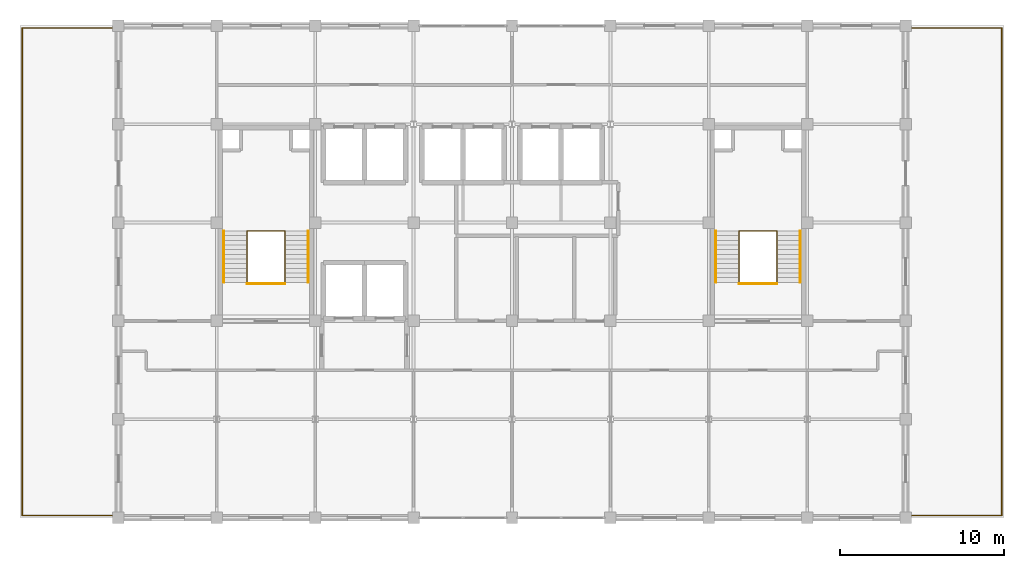
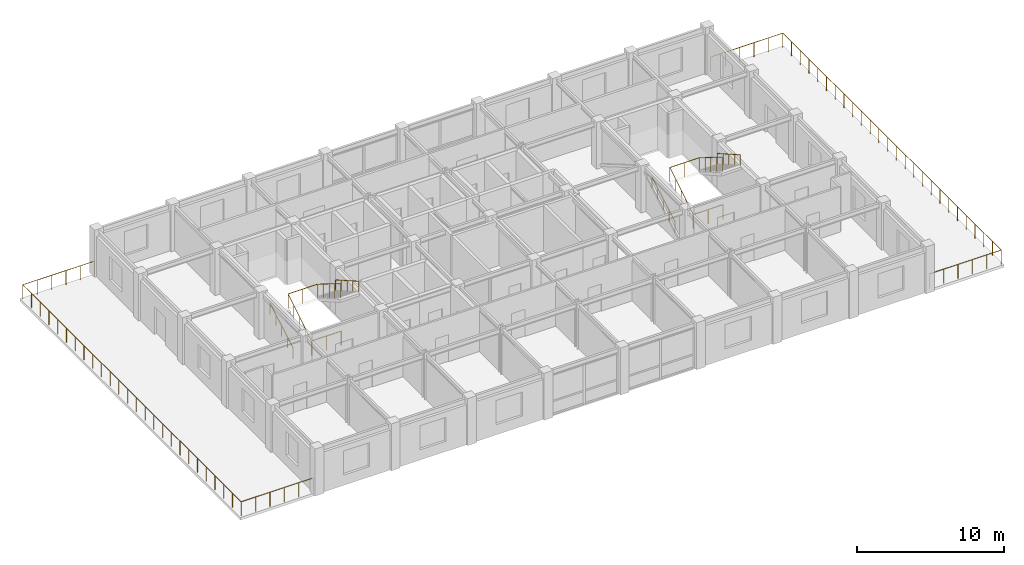
# One storey, part 15 of 15: 10 railings.
"""IFC4 building model written with IfcOpenShell, lengths in metres."""

from ifc_helpers import new_model, si_unit, direction, frame, origin, origin_2d, place, context, subcontext, project, spatial, circle, extrude, material, type_object, element, save


model = new_model("IFC4")

# Units and contexts
model_context = context("Model", 3, precision=1e-05, world=origin(), true_north=direction((0.0, 1.0)))
body_context = subcontext(model_context, "Body", "Model", "MODEL_VIEW")
ifc_project = project(units=[si_unit("LENGTHUNIT", "METRE"), si_unit("AREAUNIT", "SQUARE_METRE"), si_unit("VOLUMEUNIT", "CUBIC_METRE"), si_unit("PLANEANGLEUNIT", "RADIAN"), si_unit("MASSUNIT", "GRAM", prefix="KILO")], contexts=[model_context])

# Site, building, storey
site_placement = place(None, origin())
site = spatial("IfcSite", under=ifc_project, at=site_placement, CompositionType="ELEMENT")
building_placement = place(site_placement, origin())
building = spatial("IfcBuilding", under=site, at=building_placement, Name="Zlatovratsky Civic Hall", CompositionType="ELEMENT")
storey_placement = place(building_placement, frame((0.0, 0.0, 36.60009765625)))
storey = spatial("IfcBuildingStorey", under=building, at=storey_placement, Name="L09", CompositionType="ELEMENT", Elevation=36.60009765625)

# Railings
ifc_material_1 = material(Name="Brushed stainless steel AISI 304", Category="steel")
railing_type_1 = type_object("IfcRailingType", Name="Railing_Guardrail_1200", PredefinedType="GUARDRAIL", material=ifc_material_1)
railing_1_placement = place(storey_placement, frame((67.840087890625, 86.35009765625, 0.0)))
element("IfcRailing", 1, at=railing_1_placement, inside=storey, type_object=railing_type_1, Name="RL-0536", PredefinedType="GUARDRAIL", context=body_context, shape_type="SweptSolid", body=[
    extrude(circle(Radius=0.02392578125, at=origin_2d()), frame((0.0, 0.0, 1.17578125), z_axis=(0.0, 0.849144259976, 0.528160984692), x_axis=(-1.0, 0.0, 0.0)), (0.0, 0.0, 1.0), 3.69189453125),
    extrude(circle(Radius=0.02392578125, at=origin_2d()), frame((0.0, 3.135009765625, 3.1259765625), z_axis=(1.0, 0.0, 0.0), x_axis=(0.0, 1.0, 0.0)), (0.0, 0.0, 1.0), 2.31982421875),
    extrude(circle(Radius=0.02392578125, at=origin_2d()), frame((2.31982421875, 3.135009765625, 3.1259765625), z_axis=(0.0, -0.849144259976, 0.528160984692), x_axis=(1.0, 0.0, 0.0)), (0.0, 0.0, 1.0), 3.69189453125),
    extrude(circle(Radius=0.02099609375, at=origin_2d()), origin(), (0.0, 0.0, 1.0), 1.15185546875),
    extrude(circle(Radius=0.02099609375, at=origin_2d()), frame((0.0, 0.78369140625, 0.487548828125)), (0.0, 0.0, 1.0), 1.15185546875),
    extrude(circle(Radius=0.02099609375, at=origin_2d()), frame((0.0, 1.5673828125, 0.97509765625)), (0.0, 0.0, 1.0), 1.15185546875),
    extrude(circle(Radius=0.02099609375, at=origin_2d()), frame((0.0, 2.351318359375, 1.46240234375)), (0.0, 0.0, 1.0), 1.15185546875),
    extrude(circle(Radius=0.02099609375, at=origin_2d()), frame((0.0, 3.135009765625, 1.949951171875)), (0.0, 0.0, 1.0), 1.15185546875),
    extrude(circle(Radius=0.02099609375, at=origin_2d()), frame((1.159912109375, 3.135009765625, 1.949951171875)), (0.0, 0.0, 1.0), 1.15185546875),
    extrude(circle(Radius=0.02099609375, at=origin_2d()), frame((2.31982421875, 3.135009765625, 1.949951171875)), (0.0, 0.0, 1.0), 1.15185546875),
    extrude(circle(Radius=0.02099609375, at=origin_2d()), frame((2.31982421875, 2.351318359375, 2.4375)), (0.0, 0.0, 1.0), 1.15185546875),
    extrude(circle(Radius=0.02099609375, at=origin_2d()), frame((2.31982421875, 1.5673828125, 2.9248046875)), (0.0, 0.0, 1.0), 1.15185546875),
    extrude(circle(Radius=0.02099609375, at=origin_2d()), frame((2.31982421875, 0.78369140625, 3.412353515625)), (0.0, 0.0, 1.0), 1.15185546875),
    extrude(circle(Radius=0.02099609375, at=origin_2d()), frame((2.31982421875, 0.0, 3.89990234375)), (0.0, 0.0, 1.0), 1.15185546875),
])
railing_2_placement = place(storey_placement, frame((67.840087890625, 86.27001953125, 0.0)))
element("IfcRailing", 2, at=railing_2_placement, inside=storey, type_object=railing_type_1, Name="RL-0539", PredefinedType="GUARDRAIL", context=body_context, shape_type="SweptSolid", body=[
    extrude(circle(Radius=0.02392578125, at=origin_2d()), frame((0.0, 0.0, 1.17578125), z_axis=(1.0, 0.0, 0.0), x_axis=(0.0, 1.0, 0.0)), (0.0, 0.0, 1.0), 2.31982421875),
    extrude(circle(Radius=0.02099609375, at=origin_2d()), origin(), (0.0, 0.0, 1.0), 1.15185546875),
    extrude(circle(Radius=0.02099609375, at=origin_2d()), frame((1.159912109375, 0.0, 0.0)), (0.0, 0.0, 1.0), 1.15185546875),
    extrude(circle(Radius=0.02099609375, at=origin_2d()), frame((2.31982421875, 0.0, 0.0)), (0.0, 0.0, 1.0), 1.15185546875),
])
railing_3_placement = place(storey_placement, frame((97.840087890625, 86.35009765625, 0.0)))
element("IfcRailing", 3, at=railing_3_placement, inside=storey, type_object=railing_type_1, Name="RL-0612", PredefinedType="GUARDRAIL", context=body_context, shape_type="SweptSolid", body=[
    extrude(circle(Radius=0.02392578125, at=origin_2d()), frame((0.0, 0.0, 1.17578125), z_axis=(0.0, 0.849144259976, 0.528160984692), x_axis=(-1.0, 0.0, 0.0)), (0.0, 0.0, 1.0), 3.69189453125),
    extrude(circle(Radius=0.02392578125, at=origin_2d()), frame((0.0, 3.135009765625, 3.1259765625), z_axis=(1.0, 0.0, 0.0), x_axis=(0.0, 1.0, 0.0)), (0.0, 0.0, 1.0), 2.31982421875),
    extrude(circle(Radius=0.02392578125, at=origin_2d()), frame((2.31982421875, 3.135009765625, 3.1259765625), z_axis=(0.0, -0.849144259976, 0.528160984692), x_axis=(1.0, 0.0, 0.0)), (0.0, 0.0, 1.0), 3.69189453125),
    extrude(circle(Radius=0.02099609375, at=origin_2d()), origin(), (0.0, 0.0, 1.0), 1.15185546875),
    extrude(circle(Radius=0.02099609375, at=origin_2d()), frame((0.0, 0.78369140625, 0.487548828125)), (0.0, 0.0, 1.0), 1.15185546875),
    extrude(circle(Radius=0.02099609375, at=origin_2d()), frame((0.0, 1.5673828125, 0.97509765625)), (0.0, 0.0, 1.0), 1.15185546875),
    extrude(circle(Radius=0.02099609375, at=origin_2d()), frame((0.0, 2.351318359375, 1.46240234375)), (0.0, 0.0, 1.0), 1.15185546875),
    extrude(circle(Radius=0.02099609375, at=origin_2d()), frame((0.0, 3.135009765625, 1.949951171875)), (0.0, 0.0, 1.0), 1.15185546875),
    extrude(circle(Radius=0.02099609375, at=origin_2d()), frame((1.159912109375, 3.135009765625, 1.949951171875)), (0.0, 0.0, 1.0), 1.15185546875),
    extrude(circle(Radius=0.02099609375, at=origin_2d()), frame((2.31982421875, 3.135009765625, 1.949951171875)), (0.0, 0.0, 1.0), 1.15185546875),
    extrude(circle(Radius=0.02099609375, at=origin_2d()), frame((2.31982421875, 2.351318359375, 2.4375)), (0.0, 0.0, 1.0), 1.15185546875),
    extrude(circle(Radius=0.02099609375, at=origin_2d()), frame((2.31982421875, 1.5673828125, 2.9248046875)), (0.0, 0.0, 1.0), 1.15185546875),
    extrude(circle(Radius=0.02099609375, at=origin_2d()), frame((2.31982421875, 0.78369140625, 3.412353515625)), (0.0, 0.0, 1.0), 1.15185546875),
    extrude(circle(Radius=0.02099609375, at=origin_2d()), frame((2.31982421875, 0.0, 3.89990234375)), (0.0, 0.0, 1.0), 1.15185546875),
])
railing_4_placement = place(storey_placement, frame((97.840087890625, 86.27001953125, 0.0)))
element("IfcRailing", 4, at=railing_4_placement, inside=storey, type_object=railing_type_1, Name="RL-0615", PredefinedType="GUARDRAIL", context=body_context, shape_type="SweptSolid", body=[
    extrude(circle(Radius=0.02392578125, at=origin_2d()), frame((0.0, 0.0, 1.17578125), z_axis=(1.0, 0.0, 0.0), x_axis=(0.0, 1.0, 0.0)), (0.0, 0.0, 1.0), 2.31982421875),
    extrude(circle(Radius=0.02099609375, at=origin_2d()), origin(), (0.0, 0.0, 1.0), 1.15185546875),
    extrude(circle(Radius=0.02099609375, at=origin_2d()), frame((1.159912109375, 0.0, 0.0)), (0.0, 0.0, 1.0), 1.15185546875),
    extrude(circle(Radius=0.02099609375, at=origin_2d()), frame((2.31982421875, 0.0, 0.0)), (0.0, 0.0, 1.0), 1.15185546875),
])
railing_type_2 = type_object("IfcRailingType", Name="Railing_Handrail_900", PredefinedType="HANDRAIL", material=ifc_material_1)
railing_5_placement = place(storey_placement, frame((66.429931640625, 86.35009765625, 0.162841796875)))
element("IfcRailing", 5, at=railing_5_placement, inside=storey, type_object=railing_type_2, Name="RL-0537", PredefinedType="HANDRAIL", context=body_context, shape_type="SweptSolid", body=[
    extrude(circle(Radius=0.02392578125, at=origin_2d()), frame((0.0, 0.0, 0.8759765625), z_axis=(0.0, 0.868758932409, 0.495235214176), x_axis=(-1.0, 0.0, 0.0)), (0.0, 0.0, 1.0), 3.608642578125),
    extrude(circle(Radius=0.02099609375, at=origin_2d()), origin(), (0.0, 0.0, 1.0), 0.851806640625),
    extrude(circle(Radius=0.02099609375, at=origin_2d()), frame((0.0, 0.78369140625, 0.44677734375)), (0.0, 0.0, 1.0), 0.851806640625),
    extrude(circle(Radius=0.02099609375, at=origin_2d()), frame((0.0, 1.5673828125, 0.8935546875)), (0.0, 0.0, 1.0), 0.851806640625),
    extrude(circle(Radius=0.02099609375, at=origin_2d()), frame((0.0, 2.351318359375, 1.34033203125)), (0.0, 0.0, 1.0), 0.851806640625),
    extrude(circle(Radius=0.02099609375, at=origin_2d()), frame((0.0, 3.135009765625, 1.787109375)), (0.0, 0.0, 1.0), 0.851806640625),
])
railing_6_placement = place(storey_placement, frame((71.570068359375, 89.485107421875, 2.11181640625)))
element("IfcRailing", 6, at=railing_6_placement, inside=storey, type_object=railing_type_2, Name="RL-0538", PredefinedType="HANDRAIL", context=body_context, shape_type="SweptSolid", body=[
    extrude(circle(Radius=0.02392578125, at=origin_2d()), frame((0.0, 0.0, 0.8759765625), z_axis=(0.0, -0.868642492313, 0.495439421673), x_axis=(1.0, 0.0, 0.0)), (0.0, 0.0, 1.0), 3.609130859375),
    extrude(circle(Radius=0.02099609375, at=origin_2d()), origin(), (0.0, 0.0, 1.0), 0.851806640625),
    extrude(circle(Radius=0.02099609375, at=origin_2d()), frame((0.0, -0.78369140625, 0.447021484375)), (0.0, 0.0, 1.0), 0.851806640625),
    extrude(circle(Radius=0.02099609375, at=origin_2d()), frame((0.0, -1.5673828125, 0.89404296875)), (0.0, 0.0, 1.0), 0.851806640625),
    extrude(circle(Radius=0.02099609375, at=origin_2d()), frame((0.0, -2.351318359375, 1.341064453125)), (0.0, 0.0, 1.0), 0.851806640625),
    extrude(circle(Radius=0.02099609375, at=origin_2d()), frame((0.0, -3.135009765625, 1.7880859375)), (0.0, 0.0, 1.0), 0.851806640625),
])
railing_7_placement = place(storey_placement, frame((96.429931640625, 86.35009765625, 0.162841796875)))
element("IfcRailing", 7, at=railing_7_placement, inside=storey, type_object=railing_type_2, Name="RL-0613", PredefinedType="HANDRAIL", context=body_context, shape_type="SweptSolid", body=[
    extrude(circle(Radius=0.02392578125, at=origin_2d()), frame((0.0, 0.0, 0.8759765625), z_axis=(0.0, 0.868758932409, 0.495235214176), x_axis=(-1.0, 0.0, 0.0)), (0.0, 0.0, 1.0), 3.608642578125),
    extrude(circle(Radius=0.02099609375, at=origin_2d()), origin(), (0.0, 0.0, 1.0), 0.851806640625),
    extrude(circle(Radius=0.02099609375, at=origin_2d()), frame((0.0, 0.78369140625, 0.44677734375)), (0.0, 0.0, 1.0), 0.851806640625),
    extrude(circle(Radius=0.02099609375, at=origin_2d()), frame((0.0, 1.5673828125, 0.8935546875)), (0.0, 0.0, 1.0), 0.851806640625),
    extrude(circle(Radius=0.02099609375, at=origin_2d()), frame((0.0, 2.351318359375, 1.34033203125)), (0.0, 0.0, 1.0), 0.851806640625),
    extrude(circle(Radius=0.02099609375, at=origin_2d()), frame((0.0, 3.135009765625, 1.787109375)), (0.0, 0.0, 1.0), 0.851806640625),
])
railing_8_placement = place(storey_placement, frame((101.570068359375, 89.485107421875, 2.11181640625)))
element("IfcRailing", 8, at=railing_8_placement, inside=storey, type_object=railing_type_2, Name="RL-0614", PredefinedType="HANDRAIL", context=body_context, shape_type="SweptSolid", body=[
    extrude(circle(Radius=0.02392578125, at=origin_2d()), frame((0.0, 0.0, 0.8759765625), z_axis=(0.0, -0.868642492313, 0.495439421673), x_axis=(1.0, 0.0, 0.0)), (0.0, 0.0, 1.0), 3.609130859375),
    extrude(circle(Radius=0.02099609375, at=origin_2d()), origin(), (0.0, 0.0, 1.0), 0.851806640625),
    extrude(circle(Radius=0.02099609375, at=origin_2d()), frame((0.0, -0.78369140625, 0.447021484375)), (0.0, 0.0, 1.0), 0.851806640625),
    extrude(circle(Radius=0.02099609375, at=origin_2d()), frame((0.0, -1.5673828125, 0.89404296875)), (0.0, 0.0, 1.0), 0.851806640625),
    extrude(circle(Radius=0.02099609375, at=origin_2d()), frame((0.0, -2.351318359375, 1.341064453125)), (0.0, 0.0, 1.0), 0.851806640625),
    extrude(circle(Radius=0.02099609375, at=origin_2d()), frame((0.0, -3.135009765625, 1.7880859375)), (0.0, 0.0, 1.0), 0.851806640625),
])
ifc_material_2 = material(Name="Podolsk limestone ashlar", Category="masonry")
railing_type_3 = type_object("IfcRailingType", Name="Railing_StoneBalustrade_1200", PredefinedType="BALUSTRADE", material=ifc_material_2)
railing_9_placement = place(storey_placement, frame((59.800048828125, 72.139892578125, 0.0)))
element("IfcRailing", 9, at=railing_9_placement, inside=storey, type_object=railing_type_3, Name="RL-003", PredefinedType="BALUSTRADE", context=body_context, shape_type="SweptSolid", body=[
    extrude(circle(Radius=0.02392578125, at=origin_2d()), frame((0.0, 0.0, 1.17578125), z_axis=(-1.0, 0.0, 0.0), x_axis=(0.0, -1.0, 0.0)), (0.0, 0.0, 1.0), 5.66015625),
    extrude(circle(Radius=0.02392578125, at=origin_2d()), frame((-5.66015625, 0.0, 1.17578125), z_axis=(0.0, 1.0, 0.0), x_axis=(-1.0, 0.0, 0.0)), (0.0, 0.0, 1.0), 29.72021484375),
    extrude(circle(Radius=0.02392578125, at=origin_2d()), frame((-5.66015625, 29.72021484375, 1.17578125), z_axis=(1.0, 0.0, 0.0), x_axis=(0.0, 1.0, 0.0)), (0.0, 0.0, 1.0), 5.66015625),
    extrude(circle(Radius=0.02099609375, at=origin_2d()), origin(), (0.0, 0.0, 1.0), 1.15185546875),
    extrude(circle(Radius=0.02099609375, at=origin_2d()), frame((-1.132080078125, 0.0, 0.0)), (0.0, 0.0, 1.0), 1.15185546875),
    extrude(circle(Radius=0.02099609375, at=origin_2d()), frame((-2.26416015625, 0.0, 0.0)), (0.0, 0.0, 1.0), 1.15185546875),
    extrude(circle(Radius=0.02099609375, at=origin_2d()), frame((-3.39599609375, 0.0, 0.0)), (0.0, 0.0, 1.0), 1.15185546875),
    extrude(circle(Radius=0.02099609375, at=origin_2d()), frame((-4.528076171875, 0.0, 0.0)), (0.0, 0.0, 1.0), 1.15185546875),
    extrude(circle(Radius=0.02099609375, at=origin_2d()), frame((-5.66015625, 0.0, 0.0)), (0.0, 0.0, 1.0), 1.15185546875),
    extrude(circle(Radius=0.02099609375, at=origin_2d()), frame((-5.66015625, 1.188720703125, 0.0)), (0.0, 0.0, 1.0), 1.15185546875),
    extrude(circle(Radius=0.02099609375, at=origin_2d()), frame((-5.66015625, 2.377685546875, 0.0)), (0.0, 0.0, 1.0), 1.15185546875),
    extrude(circle(Radius=0.02099609375, at=origin_2d()), frame((-5.66015625, 3.56640625, 0.0)), (0.0, 0.0, 1.0), 1.15185546875),
    extrude(circle(Radius=0.02099609375, at=origin_2d()), frame((-5.66015625, 4.755126953125, 0.0)), (0.0, 0.0, 1.0), 1.15185546875),
    extrude(circle(Radius=0.02099609375, at=origin_2d()), frame((-5.66015625, 5.944091796875, 0.0)), (0.0, 0.0, 1.0), 1.15185546875),
    extrude(circle(Radius=0.02099609375, at=origin_2d()), frame((-5.66015625, 7.1328125, 0.0)), (0.0, 0.0, 1.0), 1.15185546875),
    extrude(circle(Radius=0.02099609375, at=origin_2d()), frame((-5.66015625, 8.32177734375, 0.0)), (0.0, 0.0, 1.0), 1.15185546875),
    extrude(circle(Radius=0.02099609375, at=origin_2d()), frame((-5.66015625, 9.510498046875, 0.0)), (0.0, 0.0, 1.0), 1.15185546875),
    extrude(circle(Radius=0.02099609375, at=origin_2d()), frame((-5.66015625, 10.69921875, 0.0)), (0.0, 0.0, 1.0), 1.15185546875),
    extrude(circle(Radius=0.02099609375, at=origin_2d()), frame((-5.66015625, 11.88818359375, 0.0)), (0.0, 0.0, 1.0), 1.15185546875),
    extrude(circle(Radius=0.02099609375, at=origin_2d()), frame((-5.66015625, 13.076904296875, 0.0)), (0.0, 0.0, 1.0), 1.15185546875),
    extrude(circle(Radius=0.02099609375, at=origin_2d()), frame((-5.66015625, 14.265625, 0.0)), (0.0, 0.0, 1.0), 1.15185546875),
    extrude(circle(Radius=0.02099609375, at=origin_2d()), frame((-5.66015625, 15.45458984375, 0.0)), (0.0, 0.0, 1.0), 1.15185546875),
    extrude(circle(Radius=0.02099609375, at=origin_2d()), frame((-5.66015625, 16.643310546875, 0.0)), (0.0, 0.0, 1.0), 1.15185546875),
    extrude(circle(Radius=0.02099609375, at=origin_2d()), frame((-5.66015625, 17.83203125, 0.0)), (0.0, 0.0, 1.0), 1.15185546875),
    extrude(circle(Radius=0.02099609375, at=origin_2d()), frame((-5.66015625, 19.02099609375, 0.0)), (0.0, 0.0, 1.0), 1.15185546875),
    extrude(circle(Radius=0.02099609375, at=origin_2d()), frame((-5.66015625, 20.209716796875, 0.0)), (0.0, 0.0, 1.0), 1.15185546875),
    extrude(circle(Radius=0.02099609375, at=origin_2d()), frame((-5.66015625, 21.3984375, 0.0)), (0.0, 0.0, 1.0), 1.15185546875),
    extrude(circle(Radius=0.02099609375, at=origin_2d()), frame((-5.66015625, 22.58740234375, 0.0)), (0.0, 0.0, 1.0), 1.15185546875),
    extrude(circle(Radius=0.02099609375, at=origin_2d()), frame((-5.66015625, 23.776123046875, 0.0)), (0.0, 0.0, 1.0), 1.15185546875),
    extrude(circle(Radius=0.02099609375, at=origin_2d()), frame((-5.66015625, 24.965087890625, 0.0)), (0.0, 0.0, 1.0), 1.15185546875),
    extrude(circle(Radius=0.02099609375, at=origin_2d()), frame((-5.66015625, 26.15380859375, 0.0)), (0.0, 0.0, 1.0), 1.15185546875),
    extrude(circle(Radius=0.02099609375, at=origin_2d()), frame((-5.66015625, 27.342529296875, 0.0)), (0.0, 0.0, 1.0), 1.15185546875),
    extrude(circle(Radius=0.02099609375, at=origin_2d()), frame((-5.66015625, 28.531494140625, 0.0)), (0.0, 0.0, 1.0), 1.15185546875),
    extrude(circle(Radius=0.02099609375, at=origin_2d()), frame((-5.66015625, 29.72021484375, 0.0)), (0.0, 0.0, 1.0), 1.15185546875),
    extrude(circle(Radius=0.02099609375, at=origin_2d()), frame((-4.528076171875, 29.72021484375, 0.0)), (0.0, 0.0, 1.0), 1.15185546875),
    extrude(circle(Radius=0.02099609375, at=origin_2d()), frame((-3.39599609375, 29.72021484375, 0.0)), (0.0, 0.0, 1.0), 1.15185546875),
    extrude(circle(Radius=0.02099609375, at=origin_2d()), frame((-2.26416015625, 29.72021484375, 0.0)), (0.0, 0.0, 1.0), 1.15185546875),
    extrude(circle(Radius=0.02099609375, at=origin_2d()), frame((-1.132080078125, 29.72021484375, 0.0)), (0.0, 0.0, 1.0), 1.15185546875),
    extrude(circle(Radius=0.02099609375, at=origin_2d()), frame((0.0, 29.72021484375, 0.0)), (0.0, 0.0, 1.0), 1.15185546875),
])
railing_10_placement = place(storey_placement, frame((108.199951171875, 72.139892578125, 0.0)))
element("IfcRailing", 10, at=railing_10_placement, inside=storey, type_object=railing_type_3, Name="RL-004", PredefinedType="BALUSTRADE", context=body_context, shape_type="SweptSolid", body=[
    extrude(circle(Radius=0.02392578125, at=origin_2d()), frame((0.0, 0.0, 1.17578125), z_axis=(1.0, 0.0, 0.0), x_axis=(0.0, 1.0, 0.0)), (0.0, 0.0, 1.0), 5.66015625),
    extrude(circle(Radius=0.02392578125, at=origin_2d()), frame((5.66015625, 0.0, 1.17578125), z_axis=(0.0, 1.0, 0.0), x_axis=(-1.0, 0.0, 0.0)), (0.0, 0.0, 1.0), 29.72021484375),
    extrude(circle(Radius=0.02392578125, at=origin_2d()), frame((5.66015625, 29.72021484375, 1.17578125), z_axis=(-1.0, 0.0, 0.0), x_axis=(0.0, -1.0, 0.0)), (0.0, 0.0, 1.0), 5.66015625),
    extrude(circle(Radius=0.02099609375, at=origin_2d()), origin(), (0.0, 0.0, 1.0), 1.15185546875),
    extrude(circle(Radius=0.02099609375, at=origin_2d()), frame((1.132080078125, 0.0, 0.0)), (0.0, 0.0, 1.0), 1.15185546875),
    extrude(circle(Radius=0.02099609375, at=origin_2d()), frame((2.26416015625, 0.0, 0.0)), (0.0, 0.0, 1.0), 1.15185546875),
    extrude(circle(Radius=0.02099609375, at=origin_2d()), frame((3.39599609375, 0.0, 0.0)), (0.0, 0.0, 1.0), 1.15185546875),
    extrude(circle(Radius=0.02099609375, at=origin_2d()), frame((4.528076171875, 0.0, 0.0)), (0.0, 0.0, 1.0), 1.15185546875),
    extrude(circle(Radius=0.02099609375, at=origin_2d()), frame((5.66015625, 0.0, 0.0)), (0.0, 0.0, 1.0), 1.15185546875),
    extrude(circle(Radius=0.02099609375, at=origin_2d()), frame((5.66015625, 1.188720703125, 0.0)), (0.0, 0.0, 1.0), 1.15185546875),
    extrude(circle(Radius=0.02099609375, at=origin_2d()), frame((5.66015625, 2.377685546875, 0.0)), (0.0, 0.0, 1.0), 1.15185546875),
    extrude(circle(Radius=0.02099609375, at=origin_2d()), frame((5.66015625, 3.56640625, 0.0)), (0.0, 0.0, 1.0), 1.15185546875),
    extrude(circle(Radius=0.02099609375, at=origin_2d()), frame((5.66015625, 4.755126953125, 0.0)), (0.0, 0.0, 1.0), 1.15185546875),
    extrude(circle(Radius=0.02099609375, at=origin_2d()), frame((5.66015625, 5.944091796875, 0.0)), (0.0, 0.0, 1.0), 1.15185546875),
    extrude(circle(Radius=0.02099609375, at=origin_2d()), frame((5.66015625, 7.1328125, 0.0)), (0.0, 0.0, 1.0), 1.15185546875),
    extrude(circle(Radius=0.02099609375, at=origin_2d()), frame((5.66015625, 8.32177734375, 0.0)), (0.0, 0.0, 1.0), 1.15185546875),
    extrude(circle(Radius=0.02099609375, at=origin_2d()), frame((5.66015625, 9.510498046875, 0.0)), (0.0, 0.0, 1.0), 1.15185546875),
    extrude(circle(Radius=0.02099609375, at=origin_2d()), frame((5.66015625, 10.69921875, 0.0)), (0.0, 0.0, 1.0), 1.15185546875),
    extrude(circle(Radius=0.02099609375, at=origin_2d()), frame((5.66015625, 11.88818359375, 0.0)), (0.0, 0.0, 1.0), 1.15185546875),
    extrude(circle(Radius=0.02099609375, at=origin_2d()), frame((5.66015625, 13.076904296875, 0.0)), (0.0, 0.0, 1.0), 1.15185546875),
    extrude(circle(Radius=0.02099609375, at=origin_2d()), frame((5.66015625, 14.265625, 0.0)), (0.0, 0.0, 1.0), 1.15185546875),
    extrude(circle(Radius=0.02099609375, at=origin_2d()), frame((5.66015625, 15.45458984375, 0.0)), (0.0, 0.0, 1.0), 1.15185546875),
    extrude(circle(Radius=0.02099609375, at=origin_2d()), frame((5.66015625, 16.643310546875, 0.0)), (0.0, 0.0, 1.0), 1.15185546875),
    extrude(circle(Radius=0.02099609375, at=origin_2d()), frame((5.66015625, 17.83203125, 0.0)), (0.0, 0.0, 1.0), 1.15185546875),
    extrude(circle(Radius=0.02099609375, at=origin_2d()), frame((5.66015625, 19.02099609375, 0.0)), (0.0, 0.0, 1.0), 1.15185546875),
    extrude(circle(Radius=0.02099609375, at=origin_2d()), frame((5.66015625, 20.209716796875, 0.0)), (0.0, 0.0, 1.0), 1.15185546875),
    extrude(circle(Radius=0.02099609375, at=origin_2d()), frame((5.66015625, 21.3984375, 0.0)), (0.0, 0.0, 1.0), 1.15185546875),
    extrude(circle(Radius=0.02099609375, at=origin_2d()), frame((5.66015625, 22.58740234375, 0.0)), (0.0, 0.0, 1.0), 1.15185546875),
    extrude(circle(Radius=0.02099609375, at=origin_2d()), frame((5.66015625, 23.776123046875, 0.0)), (0.0, 0.0, 1.0), 1.15185546875),
    extrude(circle(Radius=0.02099609375, at=origin_2d()), frame((5.66015625, 24.965087890625, 0.0)), (0.0, 0.0, 1.0), 1.15185546875),
    extrude(circle(Radius=0.02099609375, at=origin_2d()), frame((5.66015625, 26.15380859375, 0.0)), (0.0, 0.0, 1.0), 1.15185546875),
    extrude(circle(Radius=0.02099609375, at=origin_2d()), frame((5.66015625, 27.342529296875, 0.0)), (0.0, 0.0, 1.0), 1.15185546875),
    extrude(circle(Radius=0.02099609375, at=origin_2d()), frame((5.66015625, 28.531494140625, 0.0)), (0.0, 0.0, 1.0), 1.15185546875),
    extrude(circle(Radius=0.02099609375, at=origin_2d()), frame((5.66015625, 29.72021484375, 0.0)), (0.0, 0.0, 1.0), 1.15185546875),
    extrude(circle(Radius=0.02099609375, at=origin_2d()), frame((4.528076171875, 29.72021484375, 0.0)), (0.0, 0.0, 1.0), 1.15185546875),
    extrude(circle(Radius=0.02099609375, at=origin_2d()), frame((3.39599609375, 29.72021484375, 0.0)), (0.0, 0.0, 1.0), 1.15185546875),
    extrude(circle(Radius=0.02099609375, at=origin_2d()), frame((2.26416015625, 29.72021484375, 0.0)), (0.0, 0.0, 1.0), 1.15185546875),
    extrude(circle(Radius=0.02099609375, at=origin_2d()), frame((1.132080078125, 29.72021484375, 0.0)), (0.0, 0.0, 1.0), 1.15185546875),
    extrude(circle(Radius=0.02099609375, at=origin_2d()), frame((0.0, 29.72021484375, 0.0)), (0.0, 0.0, 1.0), 1.15185546875),
])

save(model, "model.ifc")
